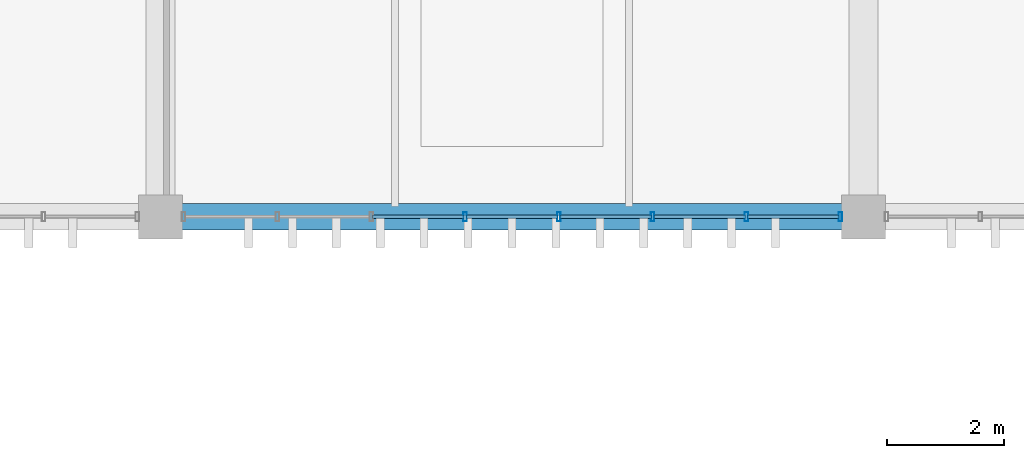
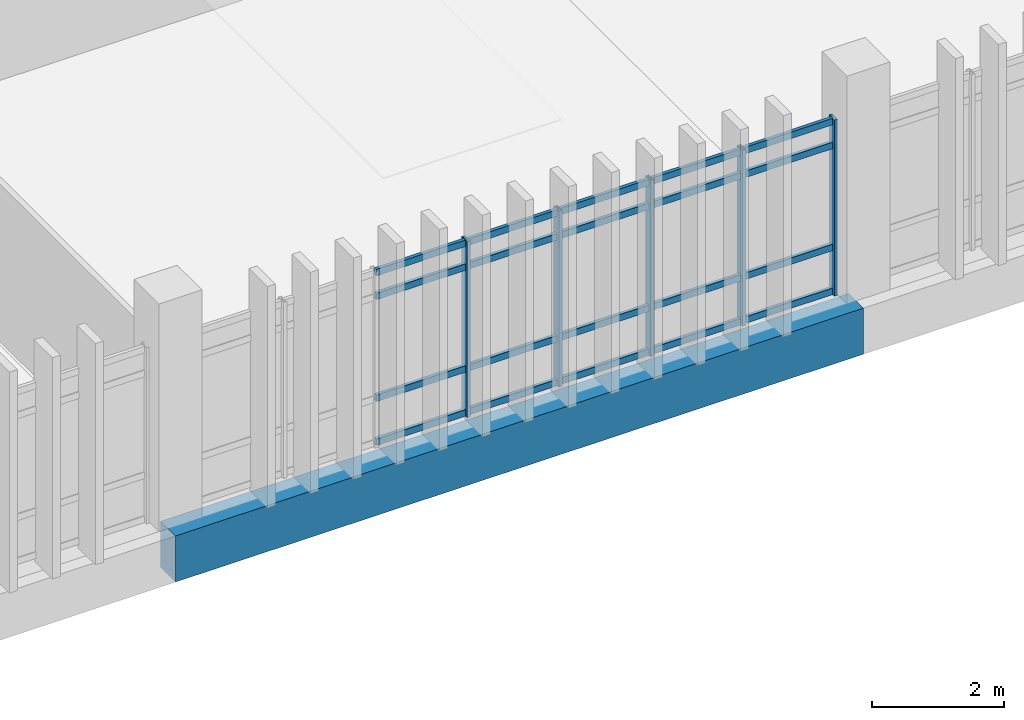
# One storey, part 34 of 111: 25 members, 1 beam, 1 element without a shape of its own.
"""IFC4 building model written with IfcOpenShell, lengths in metres."""

from ifc_helpers import new_model, si_unit, direction, frame, origin, origin_2d, place, context, subcontext, project, spatial, rectangle, hollow_rectangle, extrude, material, layer, layer_set, material_profile, profile_set, type_object, element, aggregate, save


model = new_model("IFC4")

# Units and contexts
model_context = context("Model", 3, precision=1e-05, world=origin(), true_north=direction((0.0, 1.0)))
body_context = subcontext(model_context, "Body", "Model", "MODEL_VIEW")
ifc_project = project(units=[si_unit("LENGTHUNIT", "METRE"), si_unit("AREAUNIT", "SQUARE_METRE"), si_unit("VOLUMEUNIT", "CUBIC_METRE"), si_unit("PLANEANGLEUNIT", "RADIAN"), si_unit("MASSUNIT", "GRAM", prefix="KILO")], contexts=[model_context])

# Site, building, storey
site_placement = place(None, origin())
site = spatial("IfcSite", under=ifc_project, at=site_placement, CompositionType="ELEMENT")
building_placement = place(site_placement, origin())
building = spatial("IfcBuilding", under=site, at=building_placement, Name="Mersad Railyard Sports Hall", CompositionType="ELEMENT")
storey_placement = place(building_placement, frame((0.0, 0.0, 9.0)))
storey = spatial("IfcBuildingStorey", under=building, at=storey_placement, Name="L02", CompositionType="ELEMENT", Elevation=9.0)

# Curtain wall, members
ifc_material_1 = material(Name="Aluminium 6063-T6", Category="aluminium")
ifc_layer = layer(ifc_material_1, 0.159912109375)
ifc_layer_set = layer_set([ifc_layer], Name="Aluminium 6063-T6")
curtain_wall_type = type_object("IfcCurtainWallType", Name="ARC-CW-CW54", PredefinedType="USERDEFINED", material=ifc_layer_set)
curtain_wall_placement = place(storey_placement, origin())
curtain_wall = element("IfcCurtainWall", 1, at=curtain_wall_placement, inside=storey, type_object=curtain_wall_type, Name="Curtain wall CW54-0145", ObjectType="CURTAIN WALL", PredefinedType="USERDEFINED")
ifc_material_profile_1 = material_profile(ifc_material_1, hollow_rectangle(XDim=0.06005859375, YDim=0.159912109375, WallThickness=0.00390625, at=origin_2d()), Name="AL MULLION 60x160x4")
ifc_profile_set_1 = profile_set([ifc_material_profile_1], Name="Aluminium 6063-T6")
member_type_1 = type_object("IfcMemberType", Name="ARC-CW-MUL01", PredefinedType="MULLION", material=ifc_profile_set_1)
member_1_placement = place(storey_placement, frame((78.60498046875, 85.0, -0.02001953125), z_axis=(0.0, 0.0, 1.0), x_axis=(1.0, 0.0, 0.0)))
member_1 = element("IfcMember", 2, at=member_1_placement, type_object=member_type_1, Name="CW54 Mullion 1", PredefinedType="MULLION", context=body_context, shape_type="SweptSolid", body=[
    extrude(hollow_rectangle(XDim=0.06005859375, YDim=0.159912109375, WallThickness=0.00390625, at=origin_2d()), origin(), (0.0, 0.0, 1.0), 3.25),
])
member_2_placement = place(storey_placement, frame((77.003662109375, 85.0, -0.02001953125), z_axis=(0.0, 0.0, 1.0), x_axis=(1.0, 0.0, 0.0)))
member_2 = element("IfcMember", 3, at=member_2_placement, type_object=member_type_1, Name="CW54 Mullion 2", PredefinedType="MULLION", context=body_context, shape_type="SweptSolid", body=[
    extrude(hollow_rectangle(XDim=0.06005859375, YDim=0.159912109375, WallThickness=0.00390625, at=origin_2d()), origin(), (0.0, 0.0, 1.0), 3.25),
])
member_3_placement = place(storey_placement, frame((75.402099609375, 85.0, -0.02001953125), z_axis=(0.0, 0.0, 1.0), x_axis=(1.0, 0.0, 0.0)))
member_3 = element("IfcMember", 4, at=member_3_placement, type_object=member_type_1, Name="CW54 Mullion 3", PredefinedType="MULLION", context=body_context, shape_type="SweptSolid", body=[
    extrude(hollow_rectangle(XDim=0.06005859375, YDim=0.159912109375, WallThickness=0.00390625, at=origin_2d()), origin(), (0.0, 0.0, 1.0), 3.25),
])
member_4_placement = place(storey_placement, frame((73.80078125, 85.0, -0.02001953125), z_axis=(0.0, 0.0, 1.0), x_axis=(1.0, 0.0, 0.0)))
member_4 = element("IfcMember", 5, at=member_4_placement, type_object=member_type_1, Name="CW54 Mullion 4", PredefinedType="MULLION", context=body_context, shape_type="SweptSolid", body=[
    extrude(hollow_rectangle(XDim=0.06005859375, YDim=0.159912109375, WallThickness=0.00390625, at=origin_2d()), origin(), (0.0, 0.0, 1.0), 3.25),
])
member_5_placement = place(storey_placement, frame((72.19921875, 85.0, -0.02001953125), z_axis=(0.0, 0.0, 1.0), x_axis=(1.0, 0.0, 0.0)))
member_5 = element("IfcMember", 6, at=member_5_placement, type_object=member_type_1, Name="CW54 Mullion 5", PredefinedType="MULLION", context=body_context, shape_type="SweptSolid", body=[
    extrude(hollow_rectangle(XDim=0.06005859375, YDim=0.159912109375, WallThickness=0.00390625, at=origin_2d()), origin(), (0.0, 0.0, 1.0), 3.25),
])
ifc_material_profile_2 = material_profile(ifc_material_1, hollow_rectangle(XDim=0.06005859375, YDim=0.1201171875, WallThickness=0.00390625, at=origin_2d()), Name="AL TRANSOM 60x120x4")
ifc_profile_set_2 = profile_set([ifc_material_profile_2], Name="Aluminium 6063-T6")
member_type_2 = type_object("IfcMemberType", Name="ARC-CW-TRN01", PredefinedType="USERDEFINED", material=ifc_profile_set_2)
member_6_placement = place(storey_placement, frame((78.5849609375, 85.0, 0.0400390625), z_axis=(-1.0, 0.0, 0.0), x_axis=(0.0, -1.0, 0.0)))
member_6 = element("IfcMember", 7, at=member_6_placement, type_object=member_type_2, Name="CW54 Transom 1-1", ObjectType="TRANSOM", PredefinedType="USERDEFINED", context=body_context, shape_type="SweptSolid", body=[
    extrude(hollow_rectangle(XDim=0.06005859375, YDim=0.1201171875, WallThickness=0.00390625, at=origin_2d()), origin(), (0.0, 0.0, 1.0), 1.561279296875),
])
member_7_placement = place(storey_placement, frame((76.983642578125, 85.0, 0.0400390625), z_axis=(-1.0, 0.0, 0.0), x_axis=(0.0, -1.0, 0.0)))
member_7 = element("IfcMember", 8, at=member_7_placement, type_object=member_type_2, Name="CW54 Transom 1-2", ObjectType="TRANSOM", PredefinedType="USERDEFINED", context=body_context, shape_type="SweptSolid", body=[
    extrude(hollow_rectangle(XDim=0.06005859375, YDim=0.1201171875, WallThickness=0.00390625, at=origin_2d()), origin(), (0.0, 0.0, 1.0), 1.5615234375),
])
member_8_placement = place(storey_placement, frame((75.382080078125, 85.0, 0.0400390625), z_axis=(-1.0, 0.0, 0.0), x_axis=(0.0, -1.0, 0.0)))
member_8 = element("IfcMember", 9, at=member_8_placement, type_object=member_type_2, Name="CW54 Transom 1-3", ObjectType="TRANSOM", PredefinedType="USERDEFINED", context=body_context, shape_type="SweptSolid", body=[
    extrude(hollow_rectangle(XDim=0.06005859375, YDim=0.1201171875, WallThickness=0.00390625, at=origin_2d()), origin(), (0.0, 0.0, 1.0), 1.561279296875),
])
member_9_placement = place(storey_placement, frame((73.78076171875, 85.0, 0.0400390625), z_axis=(-1.0, 0.0, 0.0), x_axis=(0.0, -1.0, 0.0)))
member_9 = element("IfcMember", 10, at=member_9_placement, type_object=member_type_2, Name="CW54 Transom 1-4", ObjectType="TRANSOM", PredefinedType="USERDEFINED", context=body_context, shape_type="SweptSolid", body=[
    extrude(hollow_rectangle(XDim=0.06005859375, YDim=0.1201171875, WallThickness=0.00390625, at=origin_2d()), origin(), (0.0, 0.0, 1.0), 1.5615234375),
])
member_10_placement = place(storey_placement, frame((72.17919921875, 85.0, 0.0400390625), z_axis=(-1.0, 0.0, 0.0), x_axis=(0.0, -1.0, 0.0)))
member_10 = element("IfcMember", 11, at=member_10_placement, type_object=member_type_2, Name="CW54 Transom 1-5", ObjectType="TRANSOM", PredefinedType="USERDEFINED", context=body_context, shape_type="SweptSolid", body=[
    extrude(hollow_rectangle(XDim=0.06005859375, YDim=0.1201171875, WallThickness=0.00390625, at=origin_2d()), origin(), (0.0, 0.0, 1.0), 1.561279296875),
])
member_11_placement = place(storey_placement, frame((78.5849609375, 85.0, 0.85009765625), z_axis=(-1.0, 0.0, 0.0), x_axis=(0.0, -1.0, 0.0)))
member_11 = element("IfcMember", 12, at=member_11_placement, type_object=member_type_2, Name="CW54 Transom 2-1", ObjectType="TRANSOM", PredefinedType="USERDEFINED", context=body_context, shape_type="SweptSolid", body=[
    extrude(hollow_rectangle(XDim=0.06005859375, YDim=0.1201171875, WallThickness=0.00390625, at=origin_2d()), origin(), (0.0, 0.0, 1.0), 1.561279296875),
])
member_12_placement = place(storey_placement, frame((76.983642578125, 85.0, 0.85009765625), z_axis=(-1.0, 0.0, 0.0), x_axis=(0.0, -1.0, 0.0)))
member_12 = element("IfcMember", 13, at=member_12_placement, type_object=member_type_2, Name="CW54 Transom 2-2", ObjectType="TRANSOM", PredefinedType="USERDEFINED", context=body_context, shape_type="SweptSolid", body=[
    extrude(hollow_rectangle(XDim=0.06005859375, YDim=0.1201171875, WallThickness=0.00390625, at=origin_2d()), origin(), (0.0, 0.0, 1.0), 1.5615234375),
])
member_13_placement = place(storey_placement, frame((75.382080078125, 85.0, 0.85009765625), z_axis=(-1.0, 0.0, 0.0), x_axis=(0.0, -1.0, 0.0)))
member_13 = element("IfcMember", 14, at=member_13_placement, type_object=member_type_2, Name="CW54 Transom 2-3", ObjectType="TRANSOM", PredefinedType="USERDEFINED", context=body_context, shape_type="SweptSolid", body=[
    extrude(hollow_rectangle(XDim=0.06005859375, YDim=0.1201171875, WallThickness=0.00390625, at=origin_2d()), origin(), (0.0, 0.0, 1.0), 1.561279296875),
])
member_14_placement = place(storey_placement, frame((73.78076171875, 85.0, 0.85009765625), z_axis=(-1.0, 0.0, 0.0), x_axis=(0.0, -1.0, 0.0)))
member_14 = element("IfcMember", 15, at=member_14_placement, type_object=member_type_2, Name="CW54 Transom 2-4", ObjectType="TRANSOM", PredefinedType="USERDEFINED", context=body_context, shape_type="SweptSolid", body=[
    extrude(hollow_rectangle(XDim=0.06005859375, YDim=0.1201171875, WallThickness=0.00390625, at=origin_2d()), origin(), (0.0, 0.0, 1.0), 1.5615234375),
])
member_15_placement = place(storey_placement, frame((72.17919921875, 85.0, 0.85009765625), z_axis=(-1.0, 0.0, 0.0), x_axis=(0.0, -1.0, 0.0)))
member_15 = element("IfcMember", 16, at=member_15_placement, type_object=member_type_2, Name="CW54 Transom 2-5", ObjectType="TRANSOM", PredefinedType="USERDEFINED", context=body_context, shape_type="SweptSolid", body=[
    extrude(hollow_rectangle(XDim=0.06005859375, YDim=0.1201171875, WallThickness=0.00390625, at=origin_2d()), origin(), (0.0, 0.0, 1.0), 1.561279296875),
])
member_16_placement = place(storey_placement, frame((78.5849609375, 85.0, 2.72998046875), z_axis=(-1.0, 0.0, 0.0), x_axis=(0.0, -1.0, 0.0)))
member_16 = element("IfcMember", 17, at=member_16_placement, type_object=member_type_2, Name="CW54 Transom 3-1", ObjectType="TRANSOM", PredefinedType="USERDEFINED", context=body_context, shape_type="SweptSolid", body=[
    extrude(hollow_rectangle(XDim=0.06005859375, YDim=0.1201171875, WallThickness=0.00390625, at=origin_2d()), origin(), (0.0, 0.0, 1.0), 1.561279296875),
])
member_17_placement = place(storey_placement, frame((76.983642578125, 85.0, 2.72998046875), z_axis=(-1.0, 0.0, 0.0), x_axis=(0.0, -1.0, 0.0)))
member_17 = element("IfcMember", 18, at=member_17_placement, type_object=member_type_2, Name="CW54 Transom 3-2", ObjectType="TRANSOM", PredefinedType="USERDEFINED", context=body_context, shape_type="SweptSolid", body=[
    extrude(hollow_rectangle(XDim=0.06005859375, YDim=0.1201171875, WallThickness=0.00390625, at=origin_2d()), origin(), (0.0, 0.0, 1.0), 1.5615234375),
])
member_18_placement = place(storey_placement, frame((75.382080078125, 85.0, 2.72998046875), z_axis=(-1.0, 0.0, 0.0), x_axis=(0.0, -1.0, 0.0)))
member_18 = element("IfcMember", 19, at=member_18_placement, type_object=member_type_2, Name="CW54 Transom 3-3", ObjectType="TRANSOM", PredefinedType="USERDEFINED", context=body_context, shape_type="SweptSolid", body=[
    extrude(hollow_rectangle(XDim=0.06005859375, YDim=0.1201171875, WallThickness=0.00390625, at=origin_2d()), origin(), (0.0, 0.0, 1.0), 1.561279296875),
])
member_19_placement = place(storey_placement, frame((73.78076171875, 85.0, 2.72998046875), z_axis=(-1.0, 0.0, 0.0), x_axis=(0.0, -1.0, 0.0)))
member_19 = element("IfcMember", 20, at=member_19_placement, type_object=member_type_2, Name="CW54 Transom 3-4", ObjectType="TRANSOM", PredefinedType="USERDEFINED", context=body_context, shape_type="SweptSolid", body=[
    extrude(hollow_rectangle(XDim=0.06005859375, YDim=0.1201171875, WallThickness=0.00390625, at=origin_2d()), origin(), (0.0, 0.0, 1.0), 1.5615234375),
])
member_20_placement = place(storey_placement, frame((72.17919921875, 85.0, 2.72998046875), z_axis=(-1.0, 0.0, 0.0), x_axis=(0.0, -1.0, 0.0)))
member_20 = element("IfcMember", 21, at=member_20_placement, type_object=member_type_2, Name="CW54 Transom 3-5", ObjectType="TRANSOM", PredefinedType="USERDEFINED", context=body_context, shape_type="SweptSolid", body=[
    extrude(hollow_rectangle(XDim=0.06005859375, YDim=0.1201171875, WallThickness=0.00390625, at=origin_2d()), origin(), (0.0, 0.0, 1.0), 1.561279296875),
])
member_21_placement = place(storey_placement, frame((78.5849609375, 85.0, 3.169921875), z_axis=(-1.0, 0.0, 0.0), x_axis=(0.0, -1.0, 0.0)))
member_21 = element("IfcMember", 22, at=member_21_placement, type_object=member_type_2, Name="CW54 Transom 4-1", ObjectType="TRANSOM", PredefinedType="USERDEFINED", context=body_context, shape_type="SweptSolid", body=[
    extrude(hollow_rectangle(XDim=0.06005859375, YDim=0.1201171875, WallThickness=0.00390625, at=origin_2d()), origin(), (0.0, 0.0, 1.0), 1.561279296875),
])
member_22_placement = place(storey_placement, frame((76.983642578125, 85.0, 3.169921875), z_axis=(-1.0, 0.0, 0.0), x_axis=(0.0, -1.0, 0.0)))
member_22 = element("IfcMember", 23, at=member_22_placement, type_object=member_type_2, Name="CW54 Transom 4-2", ObjectType="TRANSOM", PredefinedType="USERDEFINED", context=body_context, shape_type="SweptSolid", body=[
    extrude(hollow_rectangle(XDim=0.06005859375, YDim=0.1201171875, WallThickness=0.00390625, at=origin_2d()), origin(), (0.0, 0.0, 1.0), 1.5615234375),
])
member_23_placement = place(storey_placement, frame((75.382080078125, 85.0, 3.169921875), z_axis=(-1.0, 0.0, 0.0), x_axis=(0.0, -1.0, 0.0)))
member_23 = element("IfcMember", 24, at=member_23_placement, type_object=member_type_2, Name="CW54 Transom 4-3", ObjectType="TRANSOM", PredefinedType="USERDEFINED", context=body_context, shape_type="SweptSolid", body=[
    extrude(hollow_rectangle(XDim=0.06005859375, YDim=0.1201171875, WallThickness=0.00390625, at=origin_2d()), origin(), (0.0, 0.0, 1.0), 1.561279296875),
])
member_24_placement = place(storey_placement, frame((73.78076171875, 85.0, 3.169921875), z_axis=(-1.0, 0.0, 0.0), x_axis=(0.0, -1.0, 0.0)))
member_24 = element("IfcMember", 25, at=member_24_placement, type_object=member_type_2, Name="CW54 Transom 4-4", ObjectType="TRANSOM", PredefinedType="USERDEFINED", context=body_context, shape_type="SweptSolid", body=[
    extrude(hollow_rectangle(XDim=0.06005859375, YDim=0.1201171875, WallThickness=0.00390625, at=origin_2d()), origin(), (0.0, 0.0, 1.0), 1.5615234375),
])
member_25_placement = place(storey_placement, frame((72.17919921875, 85.0, 3.169921875), z_axis=(-1.0, 0.0, 0.0), x_axis=(0.0, -1.0, 0.0)))
member_25 = element("IfcMember", 26, at=member_25_placement, type_object=member_type_2, Name="CW54 Transom 4-5", ObjectType="TRANSOM", PredefinedType="USERDEFINED", context=body_context, shape_type="SweptSolid", body=[
    extrude(hollow_rectangle(XDim=0.06005859375, YDim=0.1201171875, WallThickness=0.00390625, at=origin_2d()), origin(), (0.0, 0.0, 1.0), 1.561279296875),
])
aggregate(curtain_wall, [member_1, member_2, member_3, member_4, member_5, member_6, member_7, member_8, member_9, member_10, member_11, member_12, member_13, member_14, member_15, member_16, member_17, member_18, member_19, member_20, member_21, member_22, member_23, member_24, member_25])

# Beam
ifc_material_2 = material(Name="Concrete C40/50", Category="concrete")
ifc_material_profile_3 = material_profile(ifc_material_2, rectangle(XDim=0.449951171875, YDim=0.85009765625, at=origin_2d()), Name="RC 450x850")
ifc_profile_set_3 = profile_set([ifc_material_profile_3], Name="Concrete C40/50")
beam_type = type_object("IfcBeamType", Name="STR-BM-B02", PredefinedType="BEAM", material=ifc_profile_set_3)
beam_placement = place(storey_placement, frame((67.0, 85.0, -0.72509765625), z_axis=(1.0, 0.0, 0.0), x_axis=(0.0, 1.0, 0.0)))
element("IfcBeam", 27, at=beam_placement, inside=storey, type_object=beam_type, Name="Beam B02-1067", PredefinedType="BEAM", context=body_context, shape_type="SweptSolid", body=[
    extrude(rectangle(XDim=0.449951171875, YDim=0.85009765625, at=origin_2d()), origin(), (0.0, 0.0, 1.0), 12.0),
])

save(model, "model.ifc")
